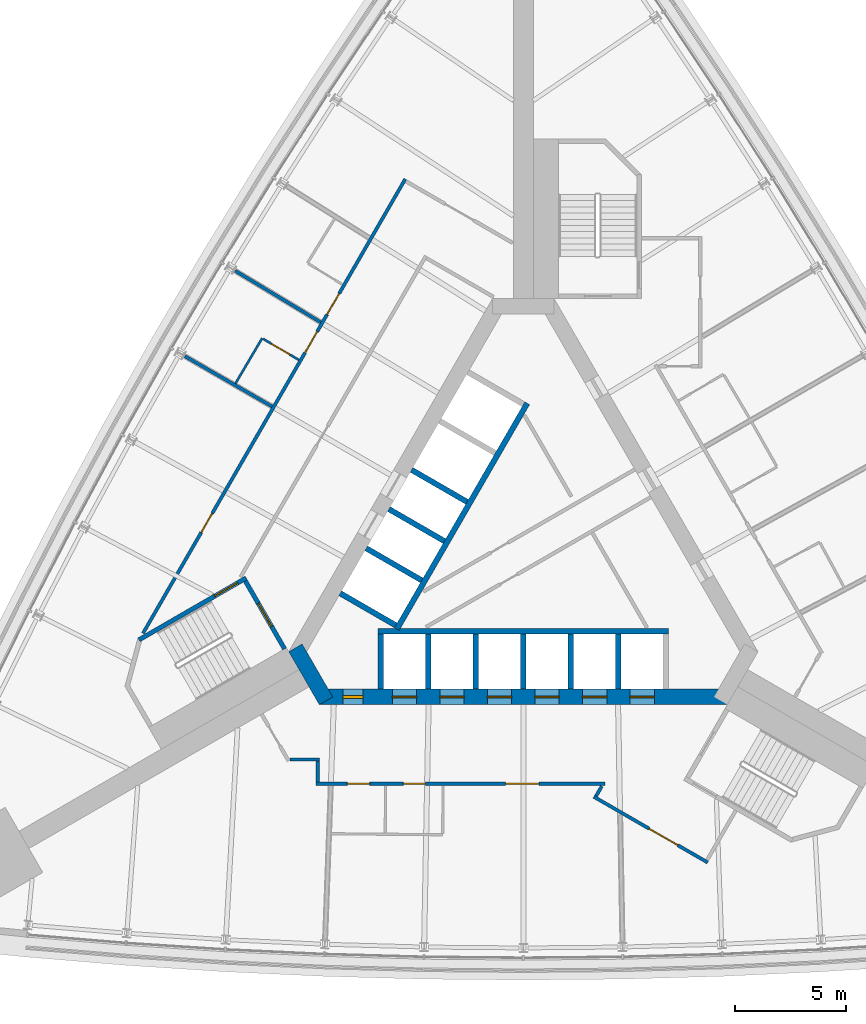
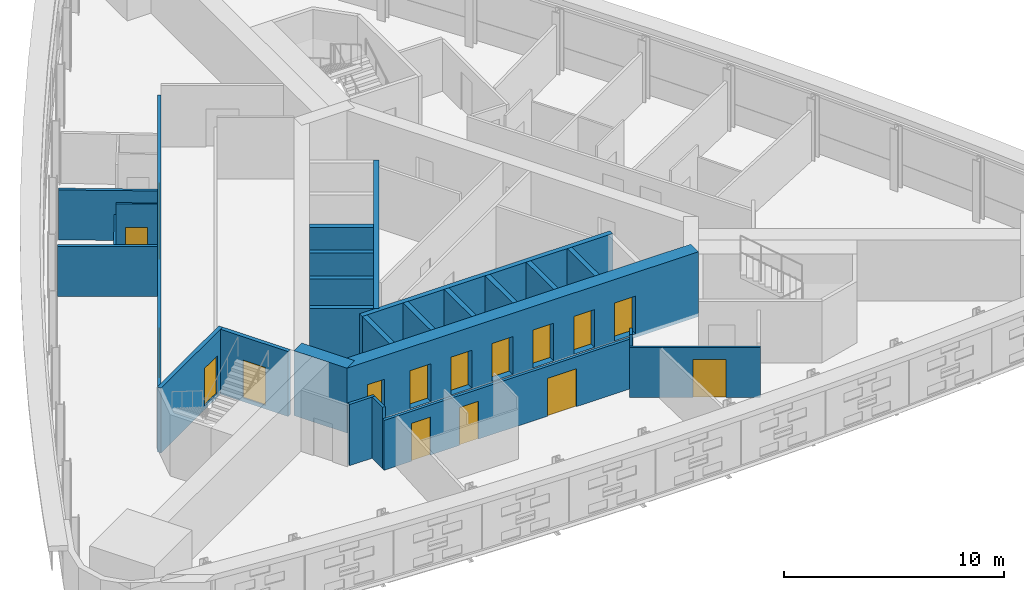
# One storey, part 10 of 15: 26 walls, 17 doors, 17 openings.
"""IFC4 building model written with IfcOpenShell, lengths in metres."""

from ifc_helpers import new_model, si_unit, direction, frame, frame_2d, origin, place, context, subcontext, project, spatial, rectangle, extrude, material, layer, layer_set, type_object, element, fill, save


model = new_model("IFC4")

# Units and contexts
model_context = context("Model", 3, precision=1e-05, world=origin(), true_north=direction((0.0, 1.0)))
body_context = subcontext(model_context, "Body", "Model", "MODEL_VIEW")
ifc_project = project(units=[si_unit("LENGTHUNIT", "METRE"), si_unit("AREAUNIT", "SQUARE_METRE"), si_unit("VOLUMEUNIT", "CUBIC_METRE"), si_unit("PLANEANGLEUNIT", "RADIAN"), si_unit("MASSUNIT", "GRAM", prefix="KILO")], contexts=[model_context])

# Site, building, storey
site_placement = place(None, origin())
site = spatial("IfcSite", under=ifc_project, at=site_placement, CompositionType="ELEMENT")
building_placement = place(site_placement, origin())
building = spatial("IfcBuilding", under=site, at=building_placement, Name="Noor Cloister Tower", CompositionType="ELEMENT")
storey_placement = place(building_placement, frame((0.0, 0.0, 31.199951171875)))
storey = spatial("IfcBuildingStorey", under=building, at=storey_placement, Name="L07", CompositionType="ELEMENT", Elevation=31.199951171875)

# Wall, openings, doors
ifc_material_1 = material(Name="Concrete C80/95", Category="concrete")
ifc_layer_1 = layer(ifc_material_1, 0.699951171875)
ifc_layer_set_1 = layer_set([ifc_layer_1], Name="Core wall 700 C80/95")
wall_type_1 = type_object("IfcWallType", Name="Core wall 700 C80/95", PredefinedType="SHEAR", material=ifc_layer_set_1)
wall_1_placement = place(storey_placement, frame((-9.228759765625, -6.578125, -0.199951171875), z_axis=(0.0, 0.0, 1.0), x_axis=(1.0, 0.0, 0.0)))
wall_1 = element("IfcWall", 1, at=wall_1_placement, inside=storey, type_object=wall_type_1, Name="Core wall L07 1", PredefinedType="SHEAR", context=body_context, shape_type="SweptSolid", body=[
    extrude(rectangle(XDim=18.45751953125, YDim=0.699951171875, at=frame_2d((9.228759765625, 0.0))), origin(), (0.0, 0.0, 1.0), 3.60009765625),
])
opening_1_placement = place(wall_1_placement, frame((3.3037109375, 0.0, 0.199951171875)))
opening_1 = element("IfcOpeningElement", 2, at=opening_1_placement, cuts=wall_1, Name="Opening L07-LR1", PredefinedType="OPENING", context=body_context, shape_type="SweptSolid", body=[
    extrude(rectangle(XDim=1.10009765625, YDim=2.10009765625, at=frame_2d((0.550048828125, 1.050048828125))), frame((0.0, 0.35986328125, 0.0), z_axis=(0.0, -1.0, 0.0), x_axis=(1.0, 0.0, 0.0)), (0.0, 0.0, 1.0), 0.719970703125),
])
opening_2_placement = place(wall_1_placement, frame((5.45361328125, 0.0, 0.199951171875)))
opening_2 = element("IfcOpeningElement", 3, at=opening_2_placement, cuts=wall_1, Name="Opening L07-LR2", PredefinedType="OPENING", context=body_context, shape_type="SweptSolid", body=[
    extrude(rectangle(XDim=1.10009765625, YDim=2.10009765625, at=frame_2d((0.550048828125, 1.050048828125))), frame((0.0, 0.35986328125, 0.0), z_axis=(0.0, -1.0, 0.0), x_axis=(1.0, 0.0, 0.0)), (0.0, 0.0, 1.0), 0.719970703125),
])
opening_3_placement = place(wall_1_placement, frame((7.603759765625, 0.0, 0.199951171875)))
opening_3 = element("IfcOpeningElement", 4, at=opening_3_placement, cuts=wall_1, Name="Opening L07-LR3", PredefinedType="OPENING", context=body_context, shape_type="SweptSolid", body=[
    extrude(rectangle(XDim=1.10009765625, YDim=2.10009765625, at=frame_2d((0.550048828125, 1.050048828125))), frame((0.0, 0.35986328125, 0.0), z_axis=(0.0, -1.0, 0.0), x_axis=(1.0, 0.0, 0.0)), (0.0, 0.0, 1.0), 0.719970703125),
])
opening_4_placement = place(wall_1_placement, frame((9.753662109375, 0.0, 0.199951171875)))
opening_4 = element("IfcOpeningElement", 5, at=opening_4_placement, cuts=wall_1, Name="Opening L07-LR4", PredefinedType="OPENING", context=body_context, shape_type="SweptSolid", body=[
    extrude(rectangle(XDim=1.10009765625, YDim=2.10009765625, at=frame_2d((0.550048828125, 1.050048828125))), frame((0.0, 0.35986328125, 0.0), z_axis=(0.0, -1.0, 0.0), x_axis=(1.0, 0.0, 0.0)), (0.0, 0.0, 1.0), 0.719970703125),
])
opening_5_placement = place(wall_1_placement, frame((11.90380859375, 0.0, 0.199951171875)))
opening_5 = element("IfcOpeningElement", 6, at=opening_5_placement, cuts=wall_1, Name="Opening L07-LR5", PredefinedType="OPENING", context=body_context, shape_type="SweptSolid", body=[
    extrude(rectangle(XDim=1.10009765625, YDim=2.10009765625, at=frame_2d((0.550048828125, 1.050048828125))), frame((0.0, 0.35986328125, 0.0), z_axis=(0.0, -1.0, 0.0), x_axis=(1.0, 0.0, 0.0)), (0.0, 0.0, 1.0), 0.719970703125),
])
opening_6_placement = place(wall_1_placement, frame((14.0537109375, 0.0, 0.199951171875)))
opening_6 = element("IfcOpeningElement", 7, at=opening_6_placement, cuts=wall_1, Name="Opening L07-LR6", PredefinedType="OPENING", context=body_context, shape_type="SweptSolid", body=[
    extrude(rectangle(XDim=1.10009765625, YDim=2.10009765625, at=frame_2d((0.550048828125, 1.050048828125))), frame((0.0, 0.35986328125, 0.0), z_axis=(0.0, -1.0, 0.0), x_axis=(1.0, 0.0, 0.0)), (0.0, 0.0, 1.0), 0.719970703125),
])
opening_7_placement = place(wall_1_placement, frame((1.078857421875, 0.0, 0.199951171875)))
opening_7 = element("IfcOpeningElement", 8, at=opening_7_placement, cuts=wall_1, Name="Opening L07-905", PredefinedType="OPENING", context=body_context, shape_type="SweptSolid", body=[
    extrude(rectangle(XDim=0.89990234375, YDim=2.10009765625, at=frame_2d((0.449951171875, 1.050048828125))), frame((0.0, 0.35986328125, 0.0), z_axis=(0.0, -1.0, 0.0), x_axis=(1.0, 0.0, 0.0)), (0.0, 0.0, 1.0), 0.719970703125),
])
ifc_material_2 = material(Name="Steel", Category="steel")
door_type_1 = type_object("IfcDoorType", Name="Core door 900 x 2100 FD120", OperationType="SINGLE_SWING_LEFT", PredefinedType="DOOR", material=ifc_material_2)
door_1_placement = place(opening_7_placement, origin())
door_1 = element("IfcDoor", 9, at=door_1_placement, inside=storey, type_object=door_type_1, Name="Core door 5 L07", OperationType="SINGLE_SWING_LEFT", OverallHeight=2.10009765625, OverallWidth=0.89990234375, PredefinedType="DOOR", context=body_context, shape_type="SweptSolid", body=[
    extrude(rectangle(XDim=0.89990234375, YDim=2.10009765625, at=frame_2d((0.449951171875, 1.050048828125))), frame((0.0, 0.074951171875, 0.0), z_axis=(0.0, -1.0, 0.0), x_axis=(1.0, 0.0, 0.0)), (0.0, 0.0, 1.0), 0.14990234375),
])
fill(opening_7, door_1)
ifc_material_3 = material(Name="Stainless steel", Category="steel")
door_type_2 = type_object("IfcDoorType", Name="Lift landing door 1100 x 2100", OperationType="DOUBLE_DOOR_SLIDING", PredefinedType="DOOR", material=ifc_material_3)
door_2_placement = place(opening_1_placement, origin())
door_2 = element("IfcDoor", 10, at=door_2_placement, inside=storey, type_object=door_type_2, Name="Landing door LR1 L07", OperationType="DOUBLE_DOOR_SLIDING", OverallHeight=2.10009765625, OverallWidth=1.10009765625, PredefinedType="DOOR", context=body_context, shape_type="SweptSolid", body=[
    extrude(rectangle(XDim=1.10009765625, YDim=2.10009765625, at=frame_2d((0.550048828125, 1.050048828125))), frame((0.0, 0.02490234375, 0.0), z_axis=(0.0, -1.0, 0.0), x_axis=(1.0, 0.0, 0.0)), (0.0, 0.0, 1.0), 0.050048828125),
])
fill(opening_1, door_2)
door_3_placement = place(opening_2_placement, origin())
door_3 = element("IfcDoor", 11, at=door_3_placement, inside=storey, type_object=door_type_2, Name="Landing door LR2 L07", OperationType="DOUBLE_DOOR_SLIDING", OverallHeight=2.10009765625, OverallWidth=1.10009765625, PredefinedType="DOOR", context=body_context, shape_type="SweptSolid", body=[
    extrude(rectangle(XDim=1.10009765625, YDim=2.10009765625, at=frame_2d((0.550048828125, 1.050048828125))), frame((0.0, 0.02490234375, 0.0), z_axis=(0.0, -1.0, 0.0), x_axis=(1.0, 0.0, 0.0)), (0.0, 0.0, 1.0), 0.050048828125),
])
fill(opening_2, door_3)
door_4_placement = place(opening_3_placement, origin())
door_4 = element("IfcDoor", 12, at=door_4_placement, inside=storey, type_object=door_type_2, Name="Landing door LR3 L07", OperationType="DOUBLE_DOOR_SLIDING", OverallHeight=2.10009765625, OverallWidth=1.10009765625, PredefinedType="DOOR", context=body_context, shape_type="SweptSolid", body=[
    extrude(rectangle(XDim=1.10009765625, YDim=2.10009765625, at=frame_2d((0.550048828125, 1.050048828125))), frame((0.0, 0.02490234375, 0.0), z_axis=(0.0, -1.0, 0.0), x_axis=(1.0, 0.0, 0.0)), (0.0, 0.0, 1.0), 0.050048828125),
])
fill(opening_3, door_4)
door_5_placement = place(opening_4_placement, origin())
door_5 = element("IfcDoor", 13, at=door_5_placement, inside=storey, type_object=door_type_2, Name="Landing door LR4 L07", OperationType="DOUBLE_DOOR_SLIDING", OverallHeight=2.10009765625, OverallWidth=1.10009765625, PredefinedType="DOOR", context=body_context, shape_type="SweptSolid", body=[
    extrude(rectangle(XDim=1.10009765625, YDim=2.10009765625, at=frame_2d((0.550048828125, 1.050048828125))), frame((0.0, 0.02490234375, 0.0), z_axis=(0.0, -1.0, 0.0), x_axis=(1.0, 0.0, 0.0)), (0.0, 0.0, 1.0), 0.050048828125),
])
fill(opening_4, door_5)
door_6_placement = place(opening_5_placement, origin())
door_6 = element("IfcDoor", 14, at=door_6_placement, inside=storey, type_object=door_type_2, Name="Landing door LR5 L07", OperationType="DOUBLE_DOOR_SLIDING", OverallHeight=2.10009765625, OverallWidth=1.10009765625, PredefinedType="DOOR", context=body_context, shape_type="SweptSolid", body=[
    extrude(rectangle(XDim=1.10009765625, YDim=2.10009765625, at=frame_2d((0.550048828125, 1.050048828125))), frame((0.0, 0.02490234375, 0.0), z_axis=(0.0, -1.0, 0.0), x_axis=(1.0, 0.0, 0.0)), (0.0, 0.0, 1.0), 0.050048828125),
])
fill(opening_5, door_6)
door_7_placement = place(opening_6_placement, origin())
door_7 = element("IfcDoor", 15, at=door_7_placement, inside=storey, type_object=door_type_2, Name="Landing door LR6 L07", OperationType="DOUBLE_DOOR_SLIDING", OverallHeight=2.10009765625, OverallWidth=1.10009765625, PredefinedType="DOOR", context=body_context, shape_type="SweptSolid", body=[
    extrude(rectangle(XDim=1.10009765625, YDim=2.10009765625, at=frame_2d((0.550048828125, 1.050048828125))), frame((0.0, 0.02490234375, 0.0), z_axis=(0.0, -1.0, 0.0), x_axis=(1.0, 0.0, 0.0)), (0.0, 0.0, 1.0), 0.050048828125),
])
fill(opening_6, door_7)

# Wall
wall_2_placement = place(storey_placement, frame((-10.311279296875, -4.353271484375, -0.199951171875), z_axis=(0.0, 0.0, 1.0), x_axis=(0.500042739161, -0.866000726912, 0.0)))
element("IfcWall", 16, at=wall_2_placement, inside=storey, type_object=wall_type_1, Name="Core wall L07 6", PredefinedType="SHEAR", context=body_context, shape_type="SweptSolid", body=[
    extrude(rectangle(XDim=2.771240234375, YDim=0.699951171875, at=frame_2d((1.3857421875, 0.0))), origin(), (0.0, 0.0, 1.0), 3.60009765625),
])

# Wall, openings, doors
ifc_material_4 = material(Name="Gypsum board partition on steel studs, 150 mm", Category="steel")
ifc_layer_2 = layer(ifc_material_4, 0.14990234375)
ifc_layer_set_2 = layer_set([ifc_layer_2], Name="Flat wall 150")
wall_type_2 = type_object("IfcWallType", Name="Flat wall 150", PredefinedType="PARTITIONING", material=ifc_layer_set_2)
wall_3_placement = place(storey_placement, frame((-17.208251953125, -3.69921875, 0.0), z_axis=(0.0, 0.0, 1.0), x_axis=(0.499997567621, 0.866026808115, 0.0)))
wall_3 = element("IfcWall", 17, at=wall_3_placement, inside=storey, type_object=wall_type_2, Name="Flat wall 150 L07 001", PredefinedType="PARTITIONING", context=body_context, shape_type="SweptSolid", body=[
    extrude(rectangle(XDim=23.736328125, YDim=0.14990234375, at=frame_2d((11.8681640625, 0.0))), origin(), (0.0, 0.0, 1.0), 2.76806640625),
])
opening_8_placement = place(wall_3_placement, frame((16.65576171875, 0.0, 0.0)))
opening_8 = element("IfcOpeningElement", 18, at=opening_8_placement, cuts=wall_3, Name="Opening L07-001", PredefinedType="OPENING", context=body_context, shape_type="SweptSolid", body=[
    extrude(rectangle(XDim=1.10009765625, YDim=2.10009765625, at=frame_2d((0.550048828125, 1.050048828125))), frame((0.0, 0.0849609375, 0.0), z_axis=(0.0, -1.0, 0.0), x_axis=(1.0, 0.0, 0.0)), (0.0, 0.0, 1.0), 0.169921875),
])
opening_9_placement = place(wall_3_placement, frame((14.662109375, 0.0, 0.0)))
opening_9 = element("IfcOpeningElement", 19, at=opening_9_placement, cuts=wall_3, Name="Opening L07-002", PredefinedType="OPENING", context=body_context, shape_type="SweptSolid", body=[
    extrude(rectangle(XDim=1.10009765625, YDim=2.10009765625, at=frame_2d((0.550048828125, 1.050048828125))), frame((0.0, 0.0849609375, 0.0), z_axis=(0.0, -1.0, 0.0), x_axis=(1.0, 0.0, 0.0)), (0.0, 0.0, 1.0), 0.169921875),
])
opening_10_placement = place(wall_3_placement, frame((5.273193359375, 0.0, 0.0)))
opening_10 = element("IfcOpeningElement", 20, at=opening_10_placement, cuts=wall_3, Name="Opening L07-003", PredefinedType="OPENING", context=body_context, shape_type="SweptSolid", body=[
    extrude(rectangle(XDim=1.0, YDim=2.10009765625, at=frame_2d((0.5, 1.050048828125))), frame((0.0, 0.0849609375, 0.0), z_axis=(0.0, -1.0, 0.0), x_axis=(1.0, 0.0, 0.0)), (0.0, 0.0, 1.0), 0.169921875),
])
ifc_material_5 = material(Name="Timber door leaf with steel frame", Category="steel")
door_type_3 = type_object("IfcDoorType", Name="Interior door 1000 FD60", OperationType="NOTDEFINED", PredefinedType="DOOR", material=ifc_material_5)
door_8_placement = place(opening_10_placement, origin())
door_8 = element("IfcDoor", 21, at=door_8_placement, inside=storey, type_object=door_type_3, Name="Interior door 1000 L07-003", OperationType="SINGLE_SWING_LEFT", OverallHeight=2.10009765625, OverallWidth=1.0, PredefinedType="DOOR", context=body_context, shape_type="SweptSolid", body=[
    extrude(rectangle(XDim=1.0, YDim=2.10009765625, at=frame_2d((0.5, 1.050048828125))), frame((0.0, 0.02490234375, 0.0), z_axis=(0.0, -1.0, 0.0), x_axis=(1.0, 0.0, 0.0)), (0.0, 0.0, 1.0), 0.050048828125),
])
fill(opening_10, door_8)
ifc_material_6 = material(Name="Timber door leaf with steel frame", Category="steel")
door_type_4 = type_object("IfcDoorType", Name="Resident room door 1100", OperationType="NOTDEFINED", PredefinedType="DOOR", material=ifc_material_6)
door_9_placement = place(opening_8_placement, origin())
door_9 = element("IfcDoor", 22, at=door_9_placement, inside=storey, type_object=door_type_4, Name="Resident room door 1100 L07-001", OperationType="SINGLE_SWING_RIGHT", OverallHeight=2.10009765625, OverallWidth=1.10009765625, PredefinedType="DOOR", context=body_context, shape_type="SweptSolid", body=[
    extrude(rectangle(XDim=1.10009765625, YDim=2.10009765625, at=frame_2d((0.550048828125, 1.050048828125))), frame((0.0, 0.02490234375, 0.0), z_axis=(0.0, -1.0, 0.0), x_axis=(1.0, 0.0, 0.0)), (0.0, 0.0, 1.0), 0.050048828125),
])
fill(opening_8, door_9)
door_10_placement = place(opening_9_placement, origin())
door_10 = element("IfcDoor", 23, at=door_10_placement, inside=storey, type_object=door_type_4, Name="Resident room door 1100 L07-002", OperationType="SINGLE_SWING_RIGHT", OverallHeight=2.10009765625, OverallWidth=1.10009765625, PredefinedType="DOOR", context=body_context, shape_type="SweptSolid", body=[
    extrude(rectangle(XDim=1.10009765625, YDim=2.10009765625, at=frame_2d((0.550048828125, 1.050048828125))), frame((0.0, 0.02490234375, 0.0), z_axis=(0.0, -1.0, 0.0), x_axis=(1.0, 0.0, 0.0)), (0.0, 0.0, 1.0), 0.050048828125),
])
fill(opening_9, door_10)

wall_4_placement = place(storey_placement, frame((3.68896484375, -10.503173828125, 0.0), z_axis=(0.0, 0.0, 1.0), x_axis=(-1.0, 0.0, 0.0)))
wall_4 = element("IfcWall", 24, at=wall_4_placement, inside=storey, type_object=wall_type_2, Name="Flat wall 150 L07 004", PredefinedType="PARTITIONING", context=body_context, shape_type="SweptSolid", body=[
    extrude(rectangle(XDim=13.067626953125, YDim=0.14990234375, at=frame_2d((6.53369140625, 0.0))), origin(), (0.0, 0.0, 1.0), 2.76806640625),
])
opening_11_placement = place(wall_4_placement, frame((10.64599609375, 0.0, 0.0)))
opening_11 = element("IfcOpeningElement", 25, at=opening_11_placement, cuts=wall_4, Name="Opening L07-007", PredefinedType="OPENING", context=body_context, shape_type="SweptSolid", body=[
    extrude(rectangle(XDim=1.0, YDim=2.10009765625, at=frame_2d((0.5, 1.050048828125))), frame((0.0, 0.0849609375, 0.0), z_axis=(0.0, -1.0, 0.0), x_axis=(1.0, 0.0, 0.0)), (0.0, 0.0, 1.0), 0.169921875),
])
opening_12_placement = place(wall_4_placement, frame((8.11767578125, 0.0, 0.0)))
opening_12 = element("IfcOpeningElement", 26, at=opening_12_placement, cuts=wall_4, Name="Opening L07-008", PredefinedType="OPENING", context=body_context, shape_type="SweptSolid", body=[
    extrude(rectangle(XDim=1.0, YDim=2.10009765625, at=frame_2d((0.5, 1.050048828125))), frame((0.0, 0.0849609375, 0.0), z_axis=(0.0, -1.0, 0.0), x_axis=(1.0, 0.0, 0.0)), (0.0, 0.0, 1.0), 0.169921875),
])
opening_13_placement = place(wall_4_placement, frame((2.986083984375, 0.0, 0.0)))
opening_13 = element("IfcOpeningElement", 27, at=opening_13_placement, cuts=wall_4, Name="Opening L07-009", PredefinedType="OPENING", context=body_context, shape_type="SweptSolid", body=[
    extrude(rectangle(XDim=1.5, YDim=2.10009765625, at=frame_2d((0.75, 1.050048828125))), frame((0.0, 0.0849609375, 0.0), z_axis=(0.0, -1.0, 0.0), x_axis=(1.0, 0.0, 0.0)), (0.0, 0.0, 1.0), 0.169921875),
])
ifc_material_7 = material(Name="Timber door leaf with steel frame", Category="steel")
door_type_5 = type_object("IfcDoorType", Name="Accessible WC door 1000", OperationType="NOTDEFINED", PredefinedType="DOOR", material=ifc_material_7)
door_11_placement = place(opening_11_placement, origin())
door_11 = element("IfcDoor", 28, at=door_11_placement, inside=storey, type_object=door_type_5, Name="Accessible WC door 1000 L07-007", OperationType="SINGLE_SWING_RIGHT", OverallHeight=2.10009765625, OverallWidth=1.0, PredefinedType="DOOR", context=body_context, shape_type="SweptSolid", body=[
    extrude(rectangle(XDim=1.0, YDim=2.10009765625, at=frame_2d((0.5, 1.050048828125))), frame((0.0, 0.02490234375, 0.0), z_axis=(0.0, -1.0, 0.0), x_axis=(1.0, 0.0, 0.0)), (0.0, 0.0, 1.0), 0.050048828125),
])
fill(opening_11, door_11)
ifc_material_8 = material(Name="Timber door leaf with steel frame", Category="steel")
door_type_6 = type_object("IfcDoorType", Name="Double door 1500 FD60", OperationType="NOTDEFINED", PredefinedType="DOOR", material=ifc_material_8)
door_12_placement = place(opening_13_placement, origin())
door_12 = element("IfcDoor", 29, at=door_12_placement, inside=storey, type_object=door_type_6, Name="Double door 1500 L07-009", OperationType="DOUBLE_DOOR_SINGLE_SWING", OverallHeight=2.10009765625, OverallWidth=1.5, PredefinedType="DOOR", context=body_context, shape_type="SweptSolid", body=[
    extrude(rectangle(XDim=1.5, YDim=2.10009765625, at=frame_2d((0.75, 1.050048828125))), frame((0.0, 0.02490234375, 0.0), z_axis=(0.0, -1.0, 0.0), x_axis=(1.0, 0.0, 0.0)), (0.0, 0.0, 1.0), 0.050048828125),
])
fill(opening_13, door_12)
door_13_placement = place(opening_12_placement, origin())
door_13 = element("IfcDoor", 30, at=door_13_placement, inside=storey, type_object=door_type_3, Name="Interior door 1000 L07-008", OperationType="SINGLE_SWING_RIGHT", OverallHeight=2.10009765625, OverallWidth=1.0, PredefinedType="DOOR", context=body_context, shape_type="SweptSolid", body=[
    extrude(rectangle(XDim=1.0, YDim=2.10009765625, at=frame_2d((0.5, 1.050048828125))), frame((0.0, 0.02490234375, 0.0), z_axis=(0.0, -1.0, 0.0), x_axis=(1.0, 0.0, 0.0)), (0.0, 0.0, 1.0), 0.050048828125),
])
fill(opening_12, door_13)

# Wall, opening, door
wall_5_placement = place(storey_placement, frame((8.341064453125, -14.065673828125, 0.0), z_axis=(0.0, 0.0, 1.0), x_axis=(-0.866017493347, 0.500013701029, 0.0)))
wall_5 = element("IfcWall", 31, at=wall_5_placement, inside=storey, type_object=wall_type_2, Name="Flat wall 150 L07 006", PredefinedType="PARTITIONING", context=body_context, shape_type="SweptSolid", body=[
    extrude(rectangle(XDim=5.949951171875, YDim=0.14990234375, at=frame_2d((2.97509765625, 0.0))), origin(), (0.0, 0.0, 1.0), 2.76806640625),
])
opening_14_placement = place(wall_5_placement, frame((1.55712890625, 0.0, 0.0)))
opening_14 = element("IfcOpeningElement", 32, at=opening_14_placement, cuts=wall_5, Name="Opening L07-011", PredefinedType="OPENING", context=body_context, shape_type="SweptSolid", body=[
    extrude(rectangle(XDim=1.5, YDim=2.10009765625, at=frame_2d((0.75, 1.050048828125))), frame((0.0, 0.0849609375, 0.0), z_axis=(0.0, -1.0, 0.0), x_axis=(1.0, 0.0, 0.0)), (0.0, 0.0, 1.0), 0.169921875),
])
door_14_placement = place(opening_14_placement, origin())
door_14 = element("IfcDoor", 33, at=door_14_placement, inside=storey, type_object=door_type_6, Name="Double door 1500 L07-011", OperationType="DOUBLE_DOOR_SINGLE_SWING", OverallHeight=2.10009765625, OverallWidth=1.5, PredefinedType="DOOR", context=body_context, shape_type="SweptSolid", body=[
    extrude(rectangle(XDim=1.5, YDim=2.10009765625, at=frame_2d((0.75, 1.050048828125))), frame((0.0, 0.02490234375, 0.0), z_axis=(0.0, -1.0, 0.0), x_axis=(1.0, 0.0, 0.0)), (0.0, 0.0, 1.0), 0.050048828125),
])
fill(opening_14, door_14)

# Walls
wall_6_placement = place(storey_placement, frame((-10.55517578125, -9.4033203125, 0.0), z_axis=(0.0, 0.0, 1.0), x_axis=(1.0, 0.0, 0.0)))
element("IfcWall", 34, at=wall_6_placement, inside=storey, type_object=wall_type_2, Name="Flat wall 150 L07 014", PredefinedType="PARTITIONING", context=body_context, shape_type="SweptSolid", body=[
    extrude(rectangle(XDim=1.326416015625, YDim=0.14990234375, at=frame_2d((0.6630859375, 0.0))), origin(), (0.0, 0.0, 1.0), 3.400146484375),
])
wall_7_placement = place(storey_placement, frame((-9.3037109375, -10.42822265625, 0.0), z_axis=(0.0, 0.0, 1.0), x_axis=(0.0, 1.0, 0.0)))
element("IfcWall", 35, at=wall_7_placement, inside=storey, type_object=wall_type_2, Name="Flat wall 150 L07 015", PredefinedType="PARTITIONING", context=body_context, shape_type="SweptSolid", body=[
    extrude(rectangle(XDim=0.949951171875, YDim=0.14990234375, at=frame_2d((0.47509765625, 0.0))), origin(), (0.0, 0.0, 1.0), 3.400146484375),
])
wall_8_placement = place(storey_placement, frame((3.290771484375, -11.063232421875, 0.0), z_axis=(0.0, 0.0, 1.0), x_axis=(0.499899694197, 0.866083307622, 0.0)))
element("IfcWall", 36, at=wall_8_placement, inside=storey, type_object=wall_type_2, Name="Flat wall 150 L07 016", PredefinedType="PARTITIONING", context=body_context, shape_type="SweptSolid", body=[
    extrude(rectangle(XDim=0.5166015625, YDim=0.14990234375, at=frame_2d((0.25830078125, 0.0))), origin(), (0.0, 0.0, 1.0), 3.400146484375),
])
wall_9_placement = place(storey_placement, frame((-15.31396484375, 8.841552734375, 0.0), z_axis=(0.0, 0.0, 1.0), x_axis=(0.866031166731, -0.499990018151, 0.0)))
element("IfcWall", 37, at=wall_9_placement, inside=storey, type_object=wall_type_2, Name="Flat wall 150 L07 023", PredefinedType="PARTITIONING", context=body_context, shape_type="SweptSolid", body=[
    extrude(rectangle(XDim=4.5546875, YDim=0.14990234375, at=frame_2d((2.27734375, 0.0))), origin(), (0.0, 0.0, 1.0), 2.76806640625),
])
wall_10_placement = place(storey_placement, frame((-13.03564453125, 12.704833984375, 0.0), z_axis=(0.0, 0.0, 1.0), x_axis=(0.856594224171, -0.515990634719, 0.0)))
element("IfcWall", 38, at=wall_10_placement, inside=storey, type_object=wall_type_2, Name="Flat wall 150 L07 024", PredefinedType="PARTITIONING", context=body_context, shape_type="SweptSolid", body=[
    extrude(rectangle(XDim=4.512939453125, YDim=0.14990234375, at=frame_2d((2.25634765625, 0.0))), origin(), (0.0, 0.0, 1.0), 2.76806640625),
])
ifc_material_9 = material(Name="Gypsum board partition on steel studs, 100 mm", Category="steel")
ifc_layer_3 = layer(ifc_material_9, 0.10009765625)
ifc_layer_set_3 = layer_set([ifc_layer_3], Name="Partition 100")
wall_type_3 = type_object("IfcWallType", Name="Partition 100", PredefinedType="PARTITIONING", material=ifc_layer_set_3)
wall_11_placement = place(storey_placement, frame((-13.02392578125, 7.6064453125, 0.0), z_axis=(0.0, 0.0, 1.0), x_axis=(0.508012392693, 0.861349759895, 0.0)))
element("IfcWall", 39, at=wall_11_placement, inside=storey, type_object=wall_type_3, Name="Partition 100 L07 030", PredefinedType="PARTITIONING", context=body_context, shape_type="SweptSolid", body=[
    extrude(rectangle(XDim=2.37548828125, YDim=0.10009765625, at=frame_2d((1.187744140625, 0.0))), origin(), (0.0, 0.0, 1.0), 2.76806640625),
])

# Wall, opening, door
wall_12_placement = place(storey_placement, frame((-10.1533203125, 8.671142578125, 0.0), z_axis=(0.0, 0.0, 1.0), x_axis=(-0.861326599867, 0.508051659147, 0.0)))
wall_12 = element("IfcWall", 40, at=wall_12_placement, inside=storey, type_object=wall_type_3, Name="Partition 100 L07 037", PredefinedType="PARTITIONING", context=body_context, shape_type="SweptSolid", body=[
    extrude(rectangle(XDim=1.8818359375, YDim=0.10009765625, at=frame_2d((0.94091796875, 0.0))), origin(), (0.0, 0.0, 1.0), 3.400146484375),
])
opening_15_placement = place(wall_12_placement, frame((0.45458984375, 0.0, 0.0)))
opening_15 = element("IfcOpeningElement", 41, at=opening_15_placement, cuts=wall_12, Name="Opening L07-019", PredefinedType="OPENING", context=body_context, shape_type="SweptSolid", body=[
    extrude(rectangle(XDim=1.0, YDim=2.10009765625, at=frame_2d((0.5, 1.050048828125))), frame((0.0, 0.06005859375, 0.0), z_axis=(0.0, -1.0, 0.0), x_axis=(1.0, 0.0, 0.0)), (0.0, 0.0, 1.0), 0.1201171875),
])
ifc_material_10 = material(Name="Timber door leaf with steel frame", Category="steel")
door_type_7 = type_object("IfcDoorType", Name="Interior door 1000", OperationType="NOTDEFINED", PredefinedType="DOOR", material=ifc_material_10)
door_15_placement = place(opening_15_placement, origin())
door_15 = element("IfcDoor", 42, at=door_15_placement, inside=storey, type_object=door_type_7, Name="Interior door 1000 L07-019", OperationType="SINGLE_SWING_RIGHT", OverallHeight=2.10009765625, OverallWidth=1.0, PredefinedType="DOOR", context=body_context, shape_type="SweptSolid", body=[
    extrude(rectangle(XDim=1.0, YDim=2.10009765625, at=frame_2d((0.5, 1.050048828125))), frame((0.0, 0.02490234375, 0.0), z_axis=(0.0, -1.0, 0.0), x_axis=(1.0, 0.0, 0.0)), (0.0, 0.0, 1.0), 0.050048828125),
])
fill(opening_15, door_15)

# Walls
ifc_material_11 = material(Name="Concrete C80/95", Category="concrete")
ifc_layer_4 = layer(ifc_material_11, 0.25)
ifc_layer_set_4 = layer_set([ifc_layer_4], Name="Shaft wall 250 C80/95")
wall_type_4 = type_object("IfcWallType", Name="Shaft wall 250 C80/95", PredefinedType="PARTITIONING", material=ifc_layer_set_4)
for number, where, z_axis, x_axis, name in (
    (43, (-6.449951171875, -6.228271484375, -0.199951171875), (0.0, 0.0, 1.0), (0.0, 1.0, 0.0), "Lift shaft wall L07 S 1"),
    (44, (-4.300048828125, -6.228271484375, -0.199951171875), (0.0, 0.0, 1.0), (0.0, 1.0, 0.0), "Lift shaft wall L07 S 2"),
    (45, (-2.14990234375, -6.228271484375, -0.199951171875), (0.0, 0.0, 1.0), (0.0, 1.0, 0.0), "Lift shaft wall L07 S 3"),
    (46, (0.0, -6.228271484375, -0.199951171875), (0.0, 0.0, 1.0), (0.0, 1.0, 0.0), "Lift shaft wall L07 S 4"),
    (47, (2.14990234375, -6.228271484375, -0.199951171875), (0.0, 0.0, 1.0), (0.0, 1.0, 0.0), "Lift shaft wall L07 S 5"),
    (48, (4.300048828125, -6.228271484375, -0.199951171875), (0.0, 0.0, 1.0), (0.0, 1.0, 0.0), "Lift shaft wall L07 S 6"),
):
    element("IfcWall", number, at=place(storey_placement, frame(where, z_axis=z_axis, x_axis=x_axis)), inside=storey, type_object=wall_type_4, Name=name, PredefinedType="PARTITIONING", context=body_context, shape_type="SweptSolid", body=[
        extrude(rectangle(XDim=2.5, YDim=0.25, at=frame_2d((1.25, 0.0))), origin(), (0.0, 0.0, 1.0), 3.60009765625),
    ])
wall_13_placement = place(storey_placement, frame((-6.574951171875, -3.603271484375, 0.0), z_axis=(0.0, 0.0, 1.0), x_axis=(1.0, 0.0, 0.0)))
element("IfcWall", 49, at=wall_13_placement, inside=storey, type_object=wall_type_4, Name="Lift shaft back wall L07 S", PredefinedType="PARTITIONING", context=body_context, shape_type="SweptSolid", body=[
    extrude(rectangle(XDim=13.14990234375, YDim=0.25, at=frame_2d((6.574951171875, 0.0))), origin(), (0.0, 0.0, 1.0), 3.400146484375),
])
for number, where, z_axis, x_axis, name in (
    (50, (-5.056396484375, 3.69873046875, -0.199951171875), (0.0, 0.0, 1.0), (0.866032775405, -0.499987231761, 0.0), "Lift shaft wall L07 NW 3"),
    (51, (-6.081298828125, 1.92333984375, -0.199951171875), (0.0, 0.0, 1.0), (0.866032775405, -0.499987231761, 0.0), "Lift shaft wall L07 NW 4"),
    (52, (-7.106201171875, 0.14794921875, -0.199951171875), (0.0, 0.0, 1.0), (0.866032775405, -0.499987231761, 0.0), "Lift shaft wall L07 NW 5"),
    (53, (-8.28125, -1.88720703125, -0.199951171875), (0.0, 0.0, 1.0), (0.866032775405, -0.499987231761, 0.0), "Lift shaft wall L07 NW 6"),
):
    element("IfcWall", number, at=place(storey_placement, frame(where, z_axis=z_axis, x_axis=x_axis)), inside=storey, type_object=wall_type_4, Name=name, PredefinedType="PARTITIONING", context=body_context, shape_type="SweptSolid", body=[
        extrude(rectangle(XDim=2.89990234375, YDim=0.25, at=frame_2d((1.449951171875, 0.0))), origin(), (0.0, 0.0, 1.0), 3.60009765625),
    ])
wall_14_placement = place(storey_placement, frame((0.176025390625, 6.711181640625, 0.0), z_axis=(0.0, 0.0, 1.0), x_axis=(-0.500004227369, -0.866022963098, 0.0)))
element("IfcWall", 54, at=wall_14_placement, inside=storey, type_object=wall_type_4, Name="Lift shaft back wall L07 NW", PredefinedType="PARTITIONING", context=body_context, shape_type="SweptSolid", body=[
    extrude(rectangle(XDim=11.80029296875, YDim=0.25, at=frame_2d((5.900146484375, 0.0))), origin(), (0.0, 0.0, 1.0), 3.400146484375),
])

# Wall, opening, door
ifc_material_12 = material(Name="Concrete C80/95", Category="concrete")
ifc_layer_5 = layer(ifc_material_12, 0.199951171875)
ifc_layer_set_5 = layer_set([ifc_layer_5], Name="Stair enclosure wall 200 C80/95")
wall_type_5 = type_object("IfcWallType", Name="Stair enclosure wall 200 C80/95", PredefinedType="SHEAR", material=ifc_layer_set_5)
wall_15_placement = place(storey_placement, frame((-12.575927734375, -1.33056640625, -0.199951171875), z_axis=(0.0, 0.0, 1.0), x_axis=(0.499970499736, -0.8660424351, 0.0)))
wall_15 = element("IfcWall", 55, at=wall_15_placement, inside=storey, type_object=wall_type_5, Name="Stair enclosure wall ST2 L07 near end", PredefinedType="SHEAR", context=body_context, shape_type="SweptSolid", body=[
    extrude(rectangle(XDim=3.550048828125, YDim=0.199951171875, at=frame_2d((1.77490234375, 0.0))), origin(), (0.0, 0.0, 1.0), 3.60009765625),
])
opening_16_placement = place(wall_15_placement, frame((1.175048828125, 0.0, 0.199951171875)))
opening_16 = element("IfcOpeningElement", 56, at=opening_16_placement, cuts=wall_15, Name="Opening L07-ST2L", PredefinedType="OPENING", context=body_context, shape_type="SweptSolid", body=[
    extrude(rectangle(XDim=1.199951171875, YDim=2.10009765625, at=frame_2d((0.60009765625, 1.050048828125))), frame((0.0, 0.10986328125, 0.0), z_axis=(0.0, -1.0, 0.0), x_axis=(1.0, 0.0, 0.0)), (0.0, 0.0, 1.0), 0.219970703125),
])
ifc_material_13 = material(Name="Steel", Category="steel")
door_type_8 = type_object("IfcDoorType", Name="Stair door 1200 x 2100 FD120", OperationType="SINGLE_SWING_LEFT", PredefinedType="DOOR", material=ifc_material_13)
door_16_placement = place(opening_16_placement, origin())
door_16 = element("IfcDoor", 57, at=door_16_placement, inside=storey, type_object=door_type_8, Name="Stair door ST2 L07", OperationType="SINGLE_SWING_RIGHT", OverallHeight=2.10009765625, OverallWidth=1.199951171875, PredefinedType="DOOR", context=body_context, shape_type="SweptSolid", body=[
    extrude(rectangle(XDim=1.199951171875, YDim=2.10009765625, at=frame_2d((0.60009765625, 1.050048828125))), frame((0.0, 0.02490234375, 0.0), z_axis=(0.0, -1.0, 0.0), x_axis=(1.0, 0.0, 0.0)), (0.0, 0.0, 1.0), 0.050048828125),
])
fill(opening_16, door_16)

wall_16_placement = place(storey_placement, frame((-12.539306640625, -1.194091796875, -0.199951171875), z_axis=(0.0, 0.0, 1.0), x_axis=(-0.866045472092, -0.499965239061, 0.0)))
wall_16 = element("IfcWall", 58, at=wall_16_placement, inside=storey, type_object=wall_type_5, Name="Stair enclosure wall ST2 L07 outer side", PredefinedType="SHEAR", context=body_context, shape_type="SweptSolid", body=[
    extrude(rectangle(XDim=5.60009765625, YDim=0.199951171875, at=frame_2d((2.800048828125, 0.0))), origin(), (0.0, 0.0, 1.0), 3.60009765625),
])
opening_17_placement = place(wall_16_placement, frame((0.449951171875, 0.0, 0.199951171875)))
opening_17 = element("IfcOpeningElement", 59, at=opening_17_placement, cuts=wall_16, Name="Opening L07-ST2C", PredefinedType="OPENING", context=body_context, shape_type="SweptSolid", body=[
    extrude(rectangle(XDim=1.199951171875, YDim=2.10009765625, at=frame_2d((0.60009765625, 1.050048828125))), frame((0.0, 0.10986328125, 0.0), z_axis=(0.0, -1.0, 0.0), x_axis=(1.0, 0.0, 0.0)), (0.0, 0.0, 1.0), 0.219970703125),
])
door_17_placement = place(opening_17_placement, origin())
door_17 = element("IfcDoor", 60, at=door_17_placement, inside=storey, type_object=door_type_8, Name="Stair door ST2 L07", OperationType="SINGLE_SWING_LEFT", OverallHeight=2.10009765625, OverallWidth=1.199951171875, PredefinedType="DOOR", context=body_context, shape_type="SweptSolid", body=[
    extrude(rectangle(XDim=1.199951171875, YDim=2.10009765625, at=frame_2d((0.60009765625, 1.050048828125))), frame((0.0, 0.02490234375, 0.0), z_axis=(0.0, -1.0, 0.0), x_axis=(1.0, 0.0, 0.0)), (0.0, 0.0, 1.0), 0.050048828125),
])
fill(opening_17, door_17)

save(model, "model.ifc")
